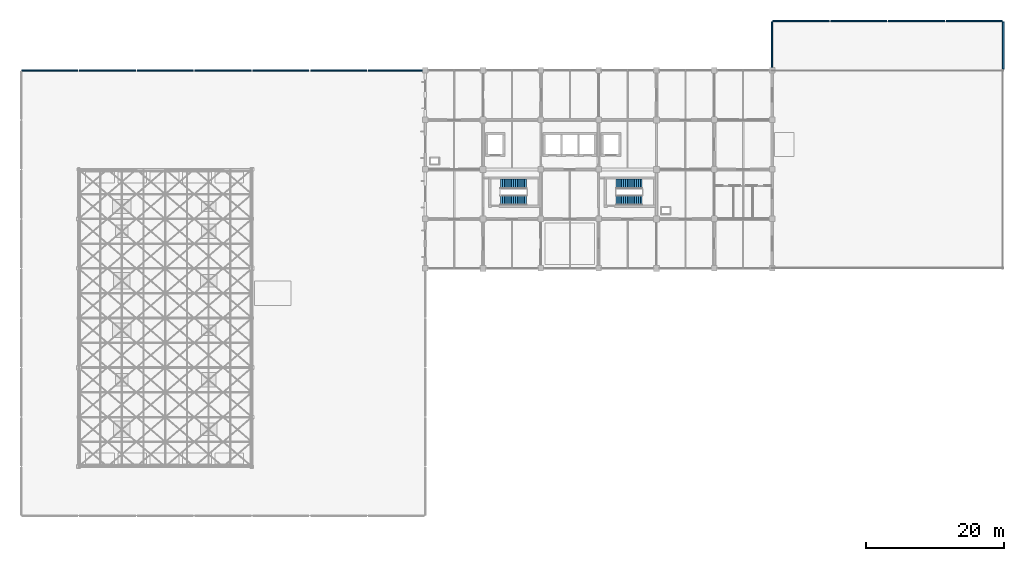
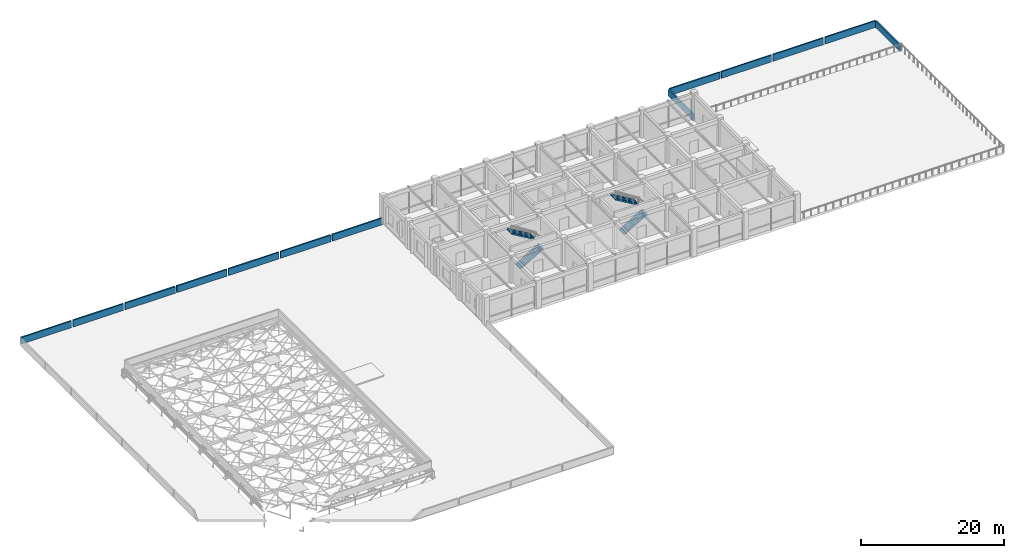
# One storey, part 42 of 45: 13 walls, 4 stair flights, 2 elements without a shape of their own.
"""IFC4 building model written with IfcOpenShell, lengths in metres."""

from ifc_helpers import new_model, si_unit, derived_unit, direction, frame, frame_2d, origin, place, context, subcontext, project, spatial, polyline, rectangle, outline, extrude, material, layer, layer_set, type_object, element, aggregate, save


model = new_model("IFC4")

# Units and contexts
model_context = context("Model", 3, precision=1e-05, world=origin(), true_north=direction((0.0, 1.0)))
body_context = subcontext(model_context, "Body", "Model", "MODEL_VIEW")
ifc_project = project(units=[si_unit("LENGTHUNIT", "METRE"), si_unit("AREAUNIT", "SQUARE_METRE"), si_unit("VOLUMEUNIT", "CUBIC_METRE"), si_unit("PLANEANGLEUNIT", "RADIAN"), si_unit("MASSUNIT", "GRAM", prefix="KILO"), derived_unit("THERMALTRANSMITTANCEUNIT", [(si_unit("MASSUNIT", "GRAM", prefix="KILO"), 1), (si_unit("TIMEUNIT", "SECOND"), -3), (si_unit("THERMODYNAMICTEMPERATUREUNIT", "KELVIN"), -1)])], contexts=[model_context])

# Site, building, storey
site_placement = place(None, origin())
site = spatial("IfcSite", under=ifc_project, at=site_placement, CompositionType="ELEMENT")
building_placement = place(site_placement, origin())
building = spatial("IfcBuilding", under=site, at=building_placement, Name="Veldstrom Oceanarium and Marine Research Institute", CompositionType="ELEMENT")
storey_placement = place(building_placement, frame((0.0, 0.0, 22.199951171875)))
storey = spatial("IfcBuildingStorey", under=building, at=storey_placement, Name="L04", CompositionType="ELEMENT", Elevation=22.199951171875)

# Walls
ifc_material_1 = material(Name="Masonry Cavity Wall", Category="masonry")
ifc_layer = layer(ifc_material_1, 0.219970703125)
ifc_layer_set = layer_set([ifc_layer], Name="ARC-WAL-PR1")
wall_type = type_object("IfcWallType", Name="ARC-WAL-PR1", PredefinedType="PARAPET", material=ifc_layer_set)
wall_1_placement = place(storey_placement, frame((8.52001953125, 72.0, -0.349853515625), z_axis=(0.0, 0.0, 1.0), x_axis=(1.0, 0.0, 0.0)))
element("IfcWall", 1, at=wall_1_placement, inside=storey, type_object=wall_type, Name="Roof Parapet Wall L03-078", PredefinedType="PARAPET", context=body_context, shape_type="SweptSolid", body=[
    extrude(rectangle(XDim=8.159912109375, YDim=0.219970703125, at=frame_2d((4.080078125, 0.0))), origin(), (0.0, 0.0, 1.0), 1.14990234375),
])
wall_2_placement = place(storey_placement, frame((16.919921875, 72.0, -0.349853515625), z_axis=(0.0, 0.0, 1.0), x_axis=(1.0, 0.0, 0.0)))
element("IfcWall", 2, at=wall_2_placement, inside=storey, type_object=wall_type, Name="Roof Parapet Wall L03-081", PredefinedType="PARAPET", context=body_context, shape_type="SweptSolid", body=[
    extrude(rectangle(XDim=8.16015625, YDim=0.219970703125, at=frame_2d((4.080078125, 0.0))), origin(), (0.0, 0.0, 1.0), 1.14990234375),
])
for number, where, z_axis, x_axis, name in (
    (3, (25.320068359375, 72.0, -0.349853515625), (0.0, 0.0, 1.0), (1.0, 0.0, 0.0), "Roof Parapet Wall L03-083"),
    (4, (33.719970703125, 72.0, -0.349853515625), (0.0, 0.0, 1.0), (1.0, 0.0, 0.0), "Roof Parapet Wall L03-085"),
    (5, (42.1201171875, 72.0, -0.349853515625), (0.0, 0.0, 1.0), (1.0, 0.0, 0.0), "Roof Parapet Wall L03-087"),
    (6, (50.52001953125, 72.0, -0.349853515625), (0.0, 0.0, 1.0), (1.0, 0.0, 0.0), "Roof Parapet Wall L03-089"),
):
    element("IfcWall", number, at=place(storey_placement, frame(where, z_axis=z_axis, x_axis=x_axis)), inside=storey, type_object=wall_type, Name=name, PredefinedType="PARAPET", context=body_context, shape_type="SweptSolid", body=[
        extrude(rectangle(XDim=8.159912109375, YDim=0.219970703125, at=frame_2d((4.080078125, 0.0))), origin(), (0.0, 0.0, 1.0), 1.14990234375),
    ])
wall_3_placement = place(storey_placement, frame((58.919921875, 72.0, -0.349853515625), z_axis=(0.0, 0.0, 1.0), x_axis=(1.0, 0.0, 0.0)))
element("IfcWall", 7, at=wall_3_placement, inside=storey, type_object=wall_type, Name="Roof Parapet Wall L03-096", PredefinedType="PARAPET", context=body_context, shape_type="SweptSolid", body=[
    extrude(rectangle(XDim=8.16015625, YDim=0.219970703125, at=frame_2d((4.080078125, 0.0))), origin(), (0.0, 0.0, 1.0), 1.14990234375),
])
wall_4_placement = place(storey_placement, frame((117.719970703125, 79.199951171875, -0.349853515625), z_axis=(0.0, 0.0, 1.0), x_axis=(1.0, 0.0, 0.0)))
element("IfcWall", 8, at=wall_4_placement, inside=storey, type_object=wall_type, Name="Roof Parapet Wall L03-097", PredefinedType="PARAPET", context=body_context, shape_type="SweptSolid", body=[
    extrude(rectangle(XDim=8.159912109375, YDim=0.219970703125, at=frame_2d((4.080078125, 0.0))), origin(), (0.0, 0.0, 1.0), 1.14990234375),
])
wall_5_placement = place(storey_placement, frame((117.60009765625, 72.1201171875, -0.349853515625), z_axis=(0.0, 0.0, 1.0), x_axis=(0.0, 1.0, 0.0)))
element("IfcWall", 9, at=wall_5_placement, inside=storey, type_object=wall_type, Name="Roof Parapet Wall L03-098", PredefinedType="PARAPET", context=body_context, shape_type="SweptSolid", body=[
    extrude(rectangle(XDim=6.9599609375, YDim=0.219970703125, at=frame_2d((3.47998046875, 0.0))), origin(), (0.0, 0.0, 1.0), 1.14990234375),
])
for number, where, z_axis, x_axis, name in (
    (10, (126.1201171875, 79.199951171875, -0.349853515625), (0.0, 0.0, 1.0), (1.0, 0.0, 0.0), "Roof Parapet Wall L03-099"),
    (11, (134.52001953125, 79.199951171875, -0.349853515625), (0.0, 0.0, 1.0), (1.0, 0.0, 0.0), "Roof Parapet Wall L03-100"),
):
    element("IfcWall", number, at=place(storey_placement, frame(where, z_axis=z_axis, x_axis=x_axis)), inside=storey, type_object=wall_type, Name=name, PredefinedType="PARAPET", context=body_context, shape_type="SweptSolid", body=[
        extrude(rectangle(XDim=8.159912109375, YDim=0.219970703125, at=frame_2d((4.080078125, 0.0))), origin(), (0.0, 0.0, 1.0), 1.14990234375),
    ])
wall_6_placement = place(storey_placement, frame((142.919921875, 79.199951171875, -0.349853515625), z_axis=(0.0, 0.0, 1.0), x_axis=(1.0, 0.0, 0.0)))
element("IfcWall", 12, at=wall_6_placement, inside=storey, type_object=wall_type, Name="Roof Parapet Wall L03-101", PredefinedType="PARAPET", context=body_context, shape_type="SweptSolid", body=[
    extrude(rectangle(XDim=8.16015625, YDim=0.219970703125, at=frame_2d((4.080078125, 0.0))), origin(), (0.0, 0.0, 1.0), 1.14990234375),
])
wall_7_placement = place(storey_placement, frame((151.199951171875, 72.1201171875, -0.349853515625), z_axis=(0.0, 0.0, 1.0), x_axis=(0.0, 1.0, 0.0)))
element("IfcWall", 13, at=wall_7_placement, inside=storey, type_object=wall_type, Name="Roof Parapet Wall L03-102", PredefinedType="PARAPET", context=body_context, shape_type="SweptSolid", body=[
    extrude(rectangle(XDim=6.9599609375, YDim=0.219970703125, at=frame_2d((3.47998046875, 0.0))), origin(), (0.0, 0.0, 1.0), 1.14990234375),
])

# Stair, stair flights
ifc_material_2 = material(Name="Concrete C40/50", Category="concrete")
stair_type = type_object("IfcStairType", Name="ARC-STR-ST-480", PredefinedType="TWO_STRAIGHT_RUN_STAIR", material=ifc_material_2)
stair_1_placement = place(storey_placement, origin())
stair_1 = element("IfcStair", 14, at=stair_1_placement, inside=storey, type_object=stair_type, Name="Dog-Leg Escape Stair ST1-L04", PredefinedType="TWO_STRAIGHT_RUN_STAIR")
ifc_material_3 = material(Name="Concrete C40/50", Category="concrete")
stair_flight_type = type_object("IfcStairFlightType", Name="ARC-STF-ST-480", PredefinedType="STRAIGHT", material=ifc_material_3)
stair_flight_1_placement = place(storey_placement, frame((78.139892578125, 53.10009765625, 0.0), z_axis=(0.0, 0.0, 1.0), x_axis=(1.0, 0.0, 0.0)))
stair_flight_1 = element("IfcStairFlight", 15, at=stair_flight_1_placement, type_object=stair_flight_type, Name="Stair Flight ST1-L04-1", NumberOfRisers=15, NumberOfTreads=14, PredefinedType="STRAIGHT", RiserHeight=0.16, TreadLength=0.27, context=body_context, shape_type="SweptSolid", body=[
    extrude(outline(polyline([(0.0, 0.0), (0.0, 0.159912109375), (0.27001953125, 0.159912109375), (0.27001953125, 0.320068359375), (0.5400390625, 0.320068359375), (0.5400390625, 0.47998046875), (0.81005859375, 0.47998046875), (0.81005859375, 0.639892578125), (1.080078125, 0.639892578125), (1.080078125, 0.800048828125), (1.35009765625, 0.800048828125), (1.35009765625, 0.9599609375), (1.6201171875, 0.9599609375), (1.6201171875, 1.1201171875), (1.889892578125, 1.1201171875), (1.889892578125, 1.280029296875), (2.159912109375, 1.280029296875), (2.159912109375, 1.43994140625), (2.429931640625, 1.43994140625), (2.429931640625, 1.60009765625), (2.699951171875, 1.60009765625), (2.699951171875, 1.760009765625), (2.969970703125, 1.760009765625), (2.969970703125, 1.919921875), (3.239990234375, 1.919921875), (3.239990234375, 2.080078125), (3.510009765625, 2.080078125), (3.510009765625, 2.239990234375), (3.780029296875, 2.239990234375), (3.780029296875, 2.39990234375), (3.780029296875, 2.03076171875), (0.35302734375, 0.0), (0.0, 0.0)])), frame((0.0, 0.699951171875, 0.0), z_axis=(0.0, -1.0, 0.0), x_axis=(1.0, 0.0, 0.0)), (0.0, 0.0, 1.0), 1.39990234375),
])
stair_flight_2_placement = place(storey_placement, frame((81.919921875, 55.5, 2.400146484375), z_axis=(0.0, 0.0, 1.0), x_axis=(-1.0, 0.0, 0.0)))
stair_flight_2 = element("IfcStairFlight", 16, at=stair_flight_2_placement, type_object=stair_flight_type, Name="Stair Flight ST1-L04-2", NumberOfRisers=15, NumberOfTreads=14, PredefinedType="STRAIGHT", RiserHeight=0.16, TreadLength=0.27, context=body_context, shape_type="SweptSolid", body=[
    extrude(outline(polyline([(0.0, 0.0), (0.0, 0.159912109375), (0.27001953125, 0.159912109375), (0.27001953125, 0.320068359375), (0.5400390625, 0.320068359375), (0.5400390625, 0.47998046875), (0.81005859375, 0.47998046875), (0.81005859375, 0.639892578125), (1.080078125, 0.639892578125), (1.080078125, 0.800048828125), (1.35009765625, 0.800048828125), (1.35009765625, 0.9599609375), (1.6201171875, 0.9599609375), (1.6201171875, 1.1201171875), (1.889892578125, 1.1201171875), (1.889892578125, 1.280029296875), (2.159912109375, 1.280029296875), (2.159912109375, 1.43994140625), (2.429931640625, 1.43994140625), (2.429931640625, 1.60009765625), (2.699951171875, 1.60009765625), (2.699951171875, 1.760009765625), (2.969970703125, 1.760009765625), (2.969970703125, 1.919921875), (3.239990234375, 1.919921875), (3.239990234375, 2.080078125), (3.510009765625, 2.080078125), (3.510009765625, 2.239990234375), (3.780029296875, 2.239990234375), (3.780029296875, 2.39990234375), (3.780029296875, 2.03076171875), (0.35302734375, 0.0), (0.0, 0.0)])), frame((0.0, 0.699951171875, 0.0), z_axis=(0.0, -1.0, 0.0), x_axis=(1.0, 0.0, 0.0)), (0.0, 0.0, 1.0), 1.39990234375),
])
aggregate(stair_1, [stair_flight_1, stair_flight_2])

stair_2_placement = place(storey_placement, origin())
stair_2 = element("IfcStair", 17, at=stair_2_placement, inside=storey, type_object=stair_type, Name="Dog-Leg Escape Stair ST2-L04", PredefinedType="TWO_STRAIGHT_RUN_STAIR")
stair_flight_3_placement = place(storey_placement, frame((94.93994140625, 53.10009765625, 0.0), z_axis=(0.0, 0.0, 1.0), x_axis=(1.0, 0.0, 0.0)))
stair_flight_3 = element("IfcStairFlight", 18, at=stair_flight_3_placement, type_object=stair_flight_type, Name="Stair Flight ST2-L04-1", NumberOfRisers=15, NumberOfTreads=14, PredefinedType="STRAIGHT", RiserHeight=0.16, TreadLength=0.27, context=body_context, shape_type="SweptSolid", body=[
    extrude(outline(polyline([(0.0, 0.0), (0.0, 0.159912109375), (0.27001953125, 0.159912109375), (0.27001953125, 0.320068359375), (0.5400390625, 0.320068359375), (0.5400390625, 0.47998046875), (0.81005859375, 0.47998046875), (0.81005859375, 0.639892578125), (1.080078125, 0.639892578125), (1.080078125, 0.800048828125), (1.35009765625, 0.800048828125), (1.35009765625, 0.9599609375), (1.6201171875, 0.9599609375), (1.6201171875, 1.1201171875), (1.889892578125, 1.1201171875), (1.889892578125, 1.280029296875), (2.159912109375, 1.280029296875), (2.159912109375, 1.43994140625), (2.429931640625, 1.43994140625), (2.429931640625, 1.60009765625), (2.699951171875, 1.60009765625), (2.699951171875, 1.760009765625), (2.969970703125, 1.760009765625), (2.969970703125, 1.919921875), (3.239990234375, 1.919921875), (3.239990234375, 2.080078125), (3.510009765625, 2.080078125), (3.510009765625, 2.239990234375), (3.780029296875, 2.239990234375), (3.780029296875, 2.39990234375), (3.780029296875, 2.03076171875), (0.35302734375, 0.0), (0.0, 0.0)])), frame((0.0, 0.699951171875, 0.0), z_axis=(0.0, -1.0, 0.0), x_axis=(1.0, 0.0, 0.0)), (0.0, 0.0, 1.0), 1.39990234375),
])
stair_flight_4_placement = place(storey_placement, frame((98.719970703125, 55.5, 2.400146484375), z_axis=(0.0, 0.0, 1.0), x_axis=(-1.0, 0.0, 0.0)))
stair_flight_4 = element("IfcStairFlight", 19, at=stair_flight_4_placement, type_object=stair_flight_type, Name="Stair Flight ST2-L04-2", NumberOfRisers=15, NumberOfTreads=14, PredefinedType="STRAIGHT", RiserHeight=0.16, TreadLength=0.27, context=body_context, shape_type="SweptSolid", body=[
    extrude(outline(polyline([(0.0, 0.0), (0.0, 0.159912109375), (0.27001953125, 0.159912109375), (0.27001953125, 0.320068359375), (0.5400390625, 0.320068359375), (0.5400390625, 0.47998046875), (0.81005859375, 0.47998046875), (0.81005859375, 0.639892578125), (1.080078125, 0.639892578125), (1.080078125, 0.800048828125), (1.35009765625, 0.800048828125), (1.35009765625, 0.9599609375), (1.6201171875, 0.9599609375), (1.6201171875, 1.1201171875), (1.889892578125, 1.1201171875), (1.889892578125, 1.280029296875), (2.159912109375, 1.280029296875), (2.159912109375, 1.43994140625), (2.429931640625, 1.43994140625), (2.429931640625, 1.60009765625), (2.699951171875, 1.60009765625), (2.699951171875, 1.760009765625), (2.969970703125, 1.760009765625), (2.969970703125, 1.919921875), (3.239990234375, 1.919921875), (3.239990234375, 2.080078125), (3.510009765625, 2.080078125), (3.510009765625, 2.239990234375), (3.780029296875, 2.239990234375), (3.780029296875, 2.39990234375), (3.780029296875, 2.03076171875), (0.35302734375, 0.0), (0.0, 0.0)])), frame((0.0, 0.699951171875, 0.0), z_axis=(0.0, -1.0, 0.0), x_axis=(1.0, 0.0, 0.0)), (0.0, 0.0, 1.0), 1.39990234375),
])
aggregate(stair_2, [stair_flight_3, stair_flight_4])

save(model, "model.ifc")
